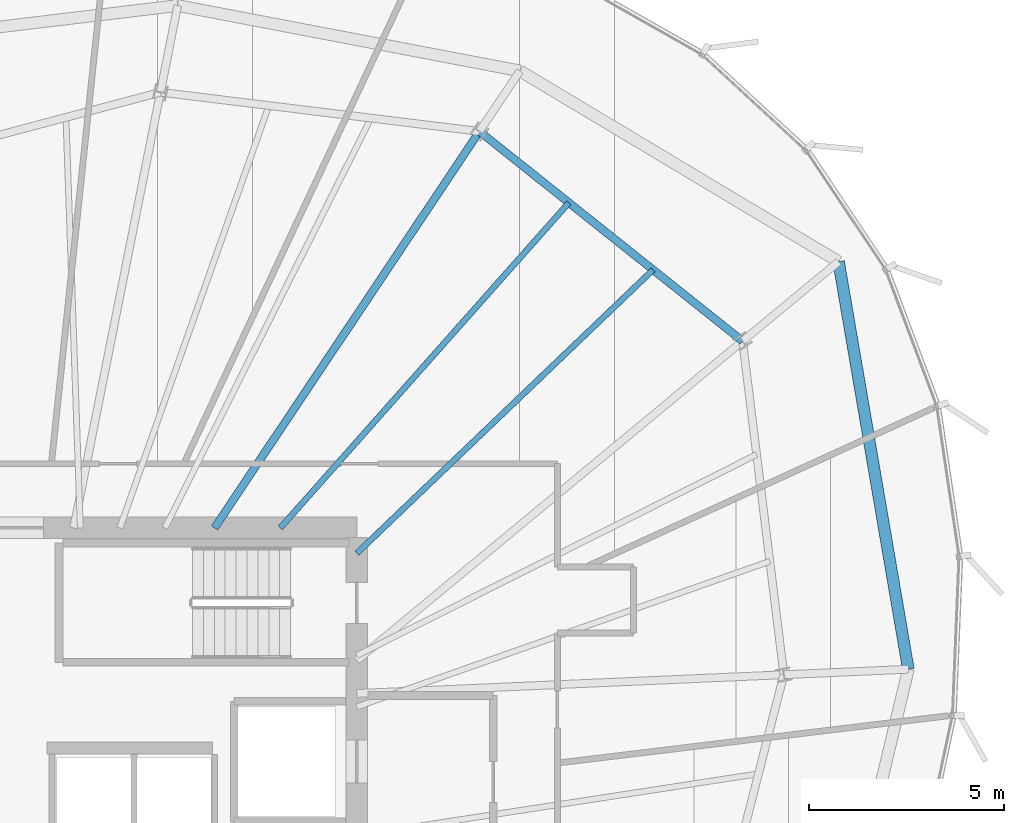
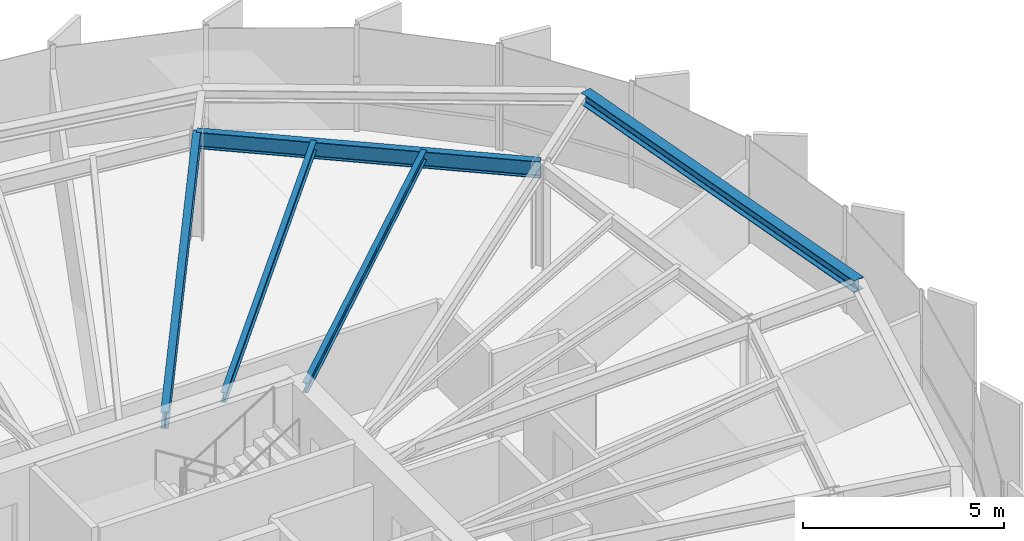
# One storey, part 26 of 36: 5 beams.
"""IFC4 building model written with IfcOpenShell, lengths in metres."""

from ifc_helpers import new_model, si_unit, direction, frame, origin, origin_2d, place, context, subcontext, project, spatial, i_section, extrude, source, transform, mapped, material, material_profile, profile_set, type_object, element, save


model = new_model("IFC4")

# Units and contexts
model_context = context("Model", 3, precision=1e-05, world=origin(), true_north=direction((0.0, 1.0)))
body_context = subcontext(model_context, "Body", "Model", "MODEL_VIEW")
ifc_project = project(units=[si_unit("LENGTHUNIT", "METRE"), si_unit("AREAUNIT", "SQUARE_METRE"), si_unit("VOLUMEUNIT", "CUBIC_METRE"), si_unit("PLANEANGLEUNIT", "RADIAN"), si_unit("MASSUNIT", "GRAM", prefix="KILO"), si_unit("THERMODYNAMICTEMPERATUREUNIT", "KELVIN")], contexts=[model_context])

# Site, building, storey
site_placement = place(None, origin())
site = spatial("IfcSite", under=ifc_project, at=site_placement, CompositionType="ELEMENT")
building_placement = place(site_placement, origin())
building = spatial("IfcBuilding", under=site, at=building_placement, Name="Kethvar Cultural Tower", CompositionType="ELEMENT")
storey_placement = place(building_placement, frame((0.0, 0.0, 197.39990234375)))
storey = spatial("IfcBuildingStorey", under=building, at=storey_placement, Name="L51", CompositionType="ELEMENT", Elevation=197.39990234375)

# Beams
ifc_material = material(Name="Steel S355J2", Category="steel")
ifc_material_profile_1 = material_profile(ifc_material, i_section(OverallWidth=0.199951171875, OverallDepth=0.5, WebThickness=0.01025390625, FlangeThickness=0.01611328125, FilletRadius=0.02099609375, at=origin_2d()), Name="Steel S355J2 — IPE500")
ifc_profile_set_1 = profile_set([ifc_material_profile_1], Name="Steel S355J2 — IPE500")
beam_type_1 = type_object("IfcBeamType", Name="BM-IPE500", PredefinedType="BEAM", material=ifc_profile_set_1)
shared_shape_1 = source(origin(), body_context, "Body", "SweptSolid", [
    extrude(i_section(OverallWidth=0.199951171875, OverallDepth=0.5, WebThickness=0.01025390625, FlangeThickness=0.01611328125, FilletRadius=0.02099609375, at=origin_2d()), origin(), (0.0, 0.0, 1.0), 12.2451171875),
])
beam_1_placement = place(storey_placement, frame((51.945068359375, 35.5, 3.008056640625), z_axis=(0.555569492312, 0.831470107227, 0.0), x_axis=(-0.831470107227, 0.555569492312, 0.0)))
element("IfcBeam", 1, at=beam_1_placement, inside=storey, type_object=beam_type_1, Name="L51 Primary Radial Beam RB-03", PredefinedType="BEAM", context=body_context, shape_type="MappedRepresentation", body=[
    mapped(shared_shape_1, transform((0.0, 0.0, 0.0), scale=1.0)),
])
ifc_material_profile_2 = material_profile(ifc_material, i_section(OverallWidth=0.300048828125, OverallDepth=0.360107421875, WebThickness=0.012451171875, FlangeThickness=0.0224609375, FilletRadius=0.027099609375, at=origin_2d()), Name="Steel S355J2 — HEB360")
ifc_profile_set_2 = profile_set([ifc_material_profile_2], Name="Steel S355J2 — HEB360")
beam_type_2 = type_object("IfcBeamType", Name="BM-SP360", PredefinedType="SPANDREL", material=ifc_profile_set_2)
shared_shape_2 = source(origin(), body_context, "Body", "SweptSolid", [
    extrude(i_section(OverallWidth=0.300048828125, OverallDepth=0.360107421875, WebThickness=0.012451171875, FlangeThickness=0.0224609375, FilletRadius=0.027099609375, at=origin_2d()), origin(), (0.0, 0.0, 1.0), 10.618896484375),
])
beam_2_placement = place(storey_placement, frame((69.760986328125, 31.87158203125, 3.078125), z_axis=(-0.168733441284, 0.985661719756, 0.0), x_axis=(-0.985661719756, -0.168733441284, 0.0)))
element("IfcBeam", 2, at=beam_2_placement, inside=storey, type_object=beam_type_2, Name="L51 Perimeter Spandrel Beam SP-01", PredefinedType="SPANDREL", context=body_context, shape_type="MappedRepresentation", body=[
    mapped(shared_shape_2, transform((0.0, 0.0, 0.0), scale=1.0)),
])
shared_shape_3 = source(origin(), body_context, "Body", "SweptSolid", [
    extrude(i_section(OverallWidth=0.199951171875, OverallDepth=0.5, WebThickness=0.01025390625, FlangeThickness=0.01611328125, FilletRadius=0.02099609375, at=origin_2d()), origin(), (0.0, 0.0, 1.0), 8.638916015625),
])
beam_3_placement = place(storey_placement, frame((65.504150390625, 40.297607421875, 3.008056640625), z_axis=(-0.782058475366, 0.623205055425, 0.0), x_axis=(-0.623205055425, -0.782058475366, 0.0)))
element("IfcBeam", 3, at=beam_3_placement, inside=storey, type_object=beam_type_1, Name="L51 Column Ring Tie Beam CR-02", PredefinedType="BEAM", context=body_context, shape_type="MappedRepresentation", body=[
    mapped(shared_shape_3, transform((0.0, 0.0, 0.0), scale=1.0)),
])
ifc_material_profile_3 = material_profile(ifc_material, i_section(OverallWidth=0.14990234375, OverallDepth=0.300048828125, WebThickness=0.007080078125, FlangeThickness=0.0107421875, FilletRadius=0.014892578125, at=origin_2d()), Name="Steel S355J2 — IPE300")
ifc_profile_set_3 = profile_set([ifc_material_profile_3], Name="Steel S355J2 — IPE300")
beam_type_3 = type_object("IfcBeamType", Name="BM-J300", PredefinedType="JOIST", material=ifc_profile_set_3)
shared_shape_4 = source(origin(), body_context, "Body", "SweptSolid", [
    extrude(i_section(OverallWidth=0.14990234375, OverallDepth=0.300048828125, WebThickness=0.007080078125, FlangeThickness=0.0107421875, FilletRadius=0.014892578125, at=origin_2d()), origin(), (0.0, 0.0, 1.0), 10.52783203125),
])
beam_4_placement = place(storey_placement, frame((55.60009765625, 34.85009765625, 3.108154296875), z_axis=(0.722552708299, 0.691315835006, 0.0), x_axis=(-0.691315835006, 0.722552708299, 0.0)))
element("IfcBeam", 4, at=beam_4_placement, inside=storey, type_object=beam_type_3, Name="L51 Composite Floor Joist J-02A", PredefinedType="JOIST", context=body_context, shape_type="MappedRepresentation", body=[
    mapped(shared_shape_4, transform((0.0, 0.0, 0.0), scale=1.0)),
])
shared_shape_5 = source(origin(), body_context, "Body", "SweptSolid", [
    extrude(i_section(OverallWidth=0.14990234375, OverallDepth=0.300048828125, WebThickness=0.007080078125, FlangeThickness=0.0107421875, FilletRadius=0.014892578125, at=origin_2d()), origin(), (0.0, 0.0, 1.0), 11.16552734375),
])
beam_5_placement = place(storey_placement, frame((53.6337890625, 35.5, 3.108154296875), z_axis=(0.663773261048, 0.747933859321, 0.0), x_axis=(-0.747933859321, 0.663773261048, 0.0)))
element("IfcBeam", 5, at=beam_5_placement, inside=storey, type_object=beam_type_3, Name="L51 Composite Floor Joist J-02B", PredefinedType="JOIST", context=body_context, shape_type="MappedRepresentation", body=[
    mapped(shared_shape_5, transform((0.0, 0.0, 0.0), scale=1.0)),
])

save(model, "model.ifc")
